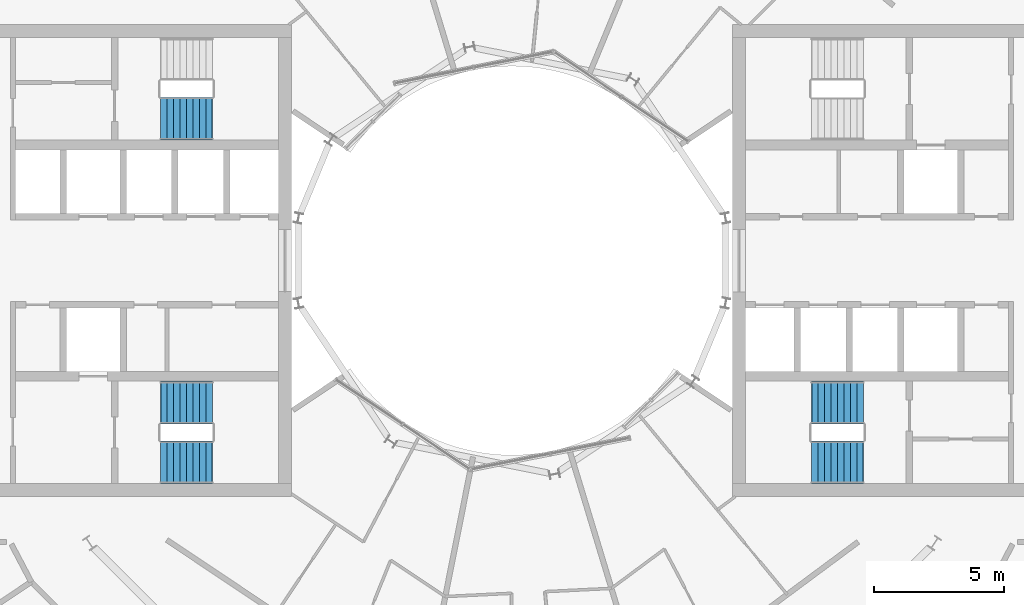
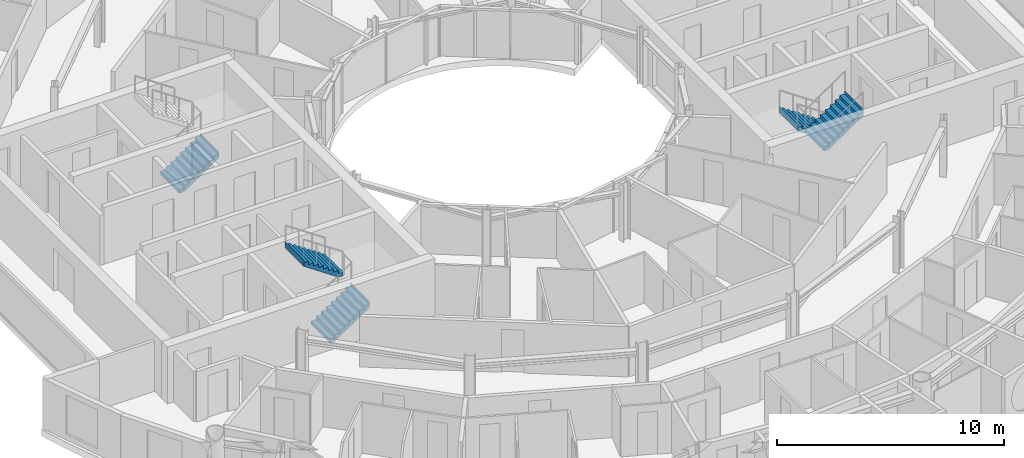
# One storey, part 24 of 27: 5 stair flights, 3 elements without a shape of their own.
"""IFC4 building model written with IfcOpenShell, lengths in metres."""

from ifc_helpers import new_model, si_unit, direction, frame, origin, place, context, subcontext, project, spatial, triangles, material, type_object, element, aggregate, save


model = new_model("IFC4")

# Units and contexts
model_context = context("Model", 3, precision=1e-05, world=origin(), true_north=direction((0.0, 1.0)))
body_context = subcontext(model_context, "Body", "Model", "MODEL_VIEW")
ifc_project = project(units=[si_unit("LENGTHUNIT", "METRE"), si_unit("AREAUNIT", "SQUARE_METRE"), si_unit("VOLUMEUNIT", "CUBIC_METRE"), si_unit("PLANEANGLEUNIT", "RADIAN"), si_unit("MASSUNIT", "GRAM", prefix="KILO")], contexts=[model_context])

# Site, building, storey
site_placement = place(None, origin())
site = spatial("IfcSite", under=ifc_project, at=site_placement, CompositionType="ELEMENT")
building_placement = place(site_placement, origin())
building = spatial("IfcBuilding", under=site, at=building_placement, Name="Maasbend Ring Residences", CompositionType="ELEMENT")
storey_placement = place(building_placement, frame((0.0, 0.0, 170.75)))
storey = spatial("IfcBuildingStorey", under=building, at=storey_placement, Name="L49", CompositionType="ELEMENT", Elevation=170.75)

# Stair, stair flights
ifc_material_1 = material(Name="Concrete C40/50", Category="concrete")
stair_type = type_object("IfcStairType", Name="CORE STAIR 18 RISERS", PredefinedType="HALF_TURN_STAIR", material=ifc_material_1)
stair_1_placement = place(storey_placement, origin())
stair_1 = element("IfcStair", 1, at=stair_1_placement, inside=storey, type_object=stair_type, Name="L49 Exit stair ST-E2", PredefinedType="HALF_TURN_STAIR")
ifc_material_2 = material(Name="Concrete C40/50", Category="concrete")
stair_flight_type = type_object("IfcStairFlightType", Name="CORE STAIR FLIGHT 1650", PredefinedType="STRAIGHT", material=ifc_material_2)
stair_flight_1_placement = place(storey_placement, frame((13.550048828125, -5.47509765625, 0.0), z_axis=(0.0, 0.0, 1.0), x_axis=(-1.0, 0.0, 0.0)))
stair_flight_1 = element("IfcStairFlight", 2, at=stair_flight_1_placement, type_object=stair_flight_type, Name="ST-E2 flight 1", NumberOfRisers=9, NumberOfTreads=8, PredefinedType="STRAIGHT", RiserHeight=0.169444444, TreadLength=0.25, context=body_context, shape_type="Tessellation", body=[
    triangles([(0.24072265625, 0.824951171875, -0.02001953125), (2.0029296875, 0.824951171875, 1.174560546875), (2.0029296875, 0.824951171875, 1.52490234375), (1.989990234375, 0.824951171875, 1.35546875), (1.75, 0.824951171875, 1.35546875), (1.75, 0.824951171875, 1.18603515625), (1.5, 0.824951171875, 1.18603515625), (1.5, 0.824951171875, 1.0166015625), (1.25, 0.824951171875, 1.0166015625), (1.25, 0.824951171875, 0.84716796875), (1.0, 0.824951171875, 0.84716796875), (1.0, 0.824951171875, 0.677734375), (0.75, 0.824951171875, 0.677734375), (0.75, 0.824951171875, 0.50830078125), (0.5, 0.824951171875, 0.50830078125), (0.5, 0.824951171875, 0.3388671875), (0.25, 0.824951171875, 0.3388671875), (0.25, 0.824951171875, 0.16943359375), (0.0, 0.824951171875, 0.16943359375), (0.0, 0.824951171875, 0.0), (-0.0029296875, 0.824951171875, 0.0), (-0.0029296875, 0.824951171875, -0.02001953125), (0.24072265625, 0.27490234375, -0.02001953125), (2.0029296875, 0.27490234375, 1.174560546875), (2.0029296875, 0.27490234375, 1.52490234375), (1.989990234375, 0.27490234375, 1.35546875), (1.75, 0.27490234375, 1.35546875), (1.75, 0.27490234375, 1.18603515625), (1.5, 0.27490234375, 1.18603515625), (1.5, 0.27490234375, 1.0166015625), (1.25, 0.27490234375, 1.0166015625), (1.25, 0.27490234375, 0.84716796875), (1.0, 0.27490234375, 0.84716796875), (1.0, 0.27490234375, 0.677734375), (0.75, 0.27490234375, 0.677734375), (0.75, 0.27490234375, 0.50830078125), (0.5, 0.27490234375, 0.50830078125), (0.5, 0.27490234375, 0.3388671875), (0.25, 0.27490234375, 0.3388671875), (0.25, 0.27490234375, 0.16943359375), (0.0, 0.27490234375, 0.16943359375), (0.0, 0.27490234375, 0.0), (-0.0029296875, 0.27490234375, 0.0), (-0.0029296875, 0.27490234375, -0.02001953125), (0.24072265625, -0.27490234375, -0.02001953125), (2.0029296875, -0.27490234375, 1.174560546875), (2.0029296875, -0.27490234375, 1.52490234375), (1.989990234375, -0.27490234375, 1.35546875), (1.75, -0.27490234375, 1.35546875), (1.75, -0.27490234375, 1.18603515625), (1.5, -0.27490234375, 1.18603515625), (1.5, -0.27490234375, 1.0166015625), (1.25, -0.27490234375, 1.0166015625), (1.25, -0.27490234375, 0.84716796875), (1.0, -0.27490234375, 0.84716796875), (1.0, -0.27490234375, 0.677734375), (0.75, -0.27490234375, 0.677734375), (0.75, -0.27490234375, 0.50830078125), (0.5, -0.27490234375, 0.50830078125), (0.5, -0.27490234375, 0.3388671875), (0.25, -0.27490234375, 0.3388671875), (0.25, -0.27490234375, 0.16943359375), (0.0, -0.27490234375, 0.16943359375), (0.0, -0.27490234375, 0.0), (-0.0029296875, -0.27490234375, 0.0), (-0.0029296875, -0.27490234375, -0.02001953125), (0.24072265625, -0.824951171875, -0.02001953125), (2.0029296875, -0.824951171875, 1.174560546875), (2.0029296875, -0.824951171875, 1.52490234375), (1.989990234375, -0.824951171875, 1.35546875), (1.75, -0.824951171875, 1.35546875), (1.75, -0.824951171875, 1.18603515625), (1.5, -0.824951171875, 1.18603515625), (1.5, -0.824951171875, 1.0166015625), (1.25, -0.824951171875, 1.0166015625), (1.25, -0.824951171875, 0.84716796875), (1.0, -0.824951171875, 0.84716796875), (1.0, -0.824951171875, 0.677734375), (0.75, -0.824951171875, 0.677734375), (0.75, -0.824951171875, 0.50830078125), (0.5, -0.824951171875, 0.50830078125), (0.5, -0.824951171875, 0.3388671875), (0.25, -0.824951171875, 0.3388671875), (0.25, -0.824951171875, 0.16943359375), (0.0, -0.824951171875, 0.16943359375), (0.0, -0.824951171875, 0.0), (-0.0029296875, -0.824951171875, 0.0), (-0.0029296875, -0.824951171875, -0.02001953125)], [[1, 2, 24], [1, 24, 23], [23, 24, 46], [23, 46, 45], [45, 46, 68], [45, 68, 67], [2, 3, 25], [2, 25, 24], [24, 25, 47], [24, 47, 46], [46, 47, 69], [46, 69, 68], [3, 4, 26], [3, 26, 25], [25, 26, 48], [25, 48, 47], [47, 48, 70], [47, 70, 69], [4, 5, 27], [4, 27, 26], [26, 27, 49], [26, 49, 48], [48, 49, 71], [48, 71, 70], [5, 6, 28], [5, 28, 27], [27, 28, 50], [27, 50, 49], [49, 50, 72], [49, 72, 71], [6, 7, 29], [6, 29, 28], [28, 29, 51], [28, 51, 50], [50, 51, 73], [50, 73, 72], [7, 8, 30], [7, 30, 29], [29, 30, 52], [29, 52, 51], [51, 52, 74], [51, 74, 73], [8, 9, 31], [8, 31, 30], [30, 31, 53], [30, 53, 52], [52, 53, 75], [52, 75, 74], [9, 10, 32], [9, 32, 31], [31, 32, 54], [31, 54, 53], [53, 54, 76], [53, 76, 75], [10, 11, 33], [10, 33, 32], [32, 33, 55], [32, 55, 54], [54, 55, 77], [54, 77, 76], [11, 12, 34], [11, 34, 33], [33, 34, 56], [33, 56, 55], [55, 56, 78], [55, 78, 77], [12, 13, 35], [12, 35, 34], [34, 35, 57], [34, 57, 56], [56, 57, 79], [56, 79, 78], [13, 14, 36], [13, 36, 35], [35, 36, 58], [35, 58, 57], [57, 58, 80], [57, 80, 79], [14, 15, 37], [14, 37, 36], [36, 37, 59], [36, 59, 58], [58, 59, 81], [58, 81, 80], [15, 16, 38], [15, 38, 37], [37, 38, 60], [37, 60, 59], [59, 60, 82], [59, 82, 81], [16, 17, 39], [16, 39, 38], [38, 39, 61], [38, 61, 60], [60, 61, 83], [60, 83, 82], [17, 18, 40], [17, 40, 39], [39, 40, 62], [39, 62, 61], [61, 62, 84], [61, 84, 83], [18, 19, 41], [18, 41, 40], [40, 41, 63], [40, 63, 62], [62, 63, 85], [62, 85, 84], [19, 20, 42], [19, 42, 41], [41, 42, 64], [41, 64, 63], [63, 64, 86], [63, 86, 85], [20, 21, 43], [20, 43, 42], [42, 43, 65], [42, 65, 64], [64, 65, 87], [64, 87, 86], [21, 22, 44], [21, 44, 43], [43, 44, 66], [43, 66, 65], [65, 66, 88], [65, 88, 87], [22, 1, 23], [22, 23, 44], [44, 23, 45], [44, 45, 66], [66, 45, 67], [66, 67, 88], [22, 2, 1], [2, 4, 3], [2, 5, 4], [2, 6, 5], [22, 6, 2], [6, 8, 7], [22, 8, 6], [8, 10, 9], [22, 10, 8], [10, 12, 11], [22, 12, 10], [12, 14, 13], [22, 14, 12], [14, 16, 15], [22, 16, 14], [16, 18, 17], [22, 18, 16], [18, 20, 19], [22, 20, 18], [20, 22, 21], [88, 67, 68], [68, 69, 70], [68, 70, 71], [68, 71, 72], [88, 68, 72], [72, 73, 74], [88, 72, 74], [74, 75, 76], [88, 74, 76], [76, 77, 78], [88, 76, 78], [78, 79, 80], [88, 78, 80], [80, 81, 82], [88, 80, 82], [82, 83, 84], [88, 82, 84], [84, 85, 86], [88, 84, 86], [86, 87, 88]], closed=True),
])
stair_flight_2_placement = place(storey_placement, frame((11.550048828125, -7.77490234375, 1.52490234375), z_axis=(0.0, 0.0, 1.0), x_axis=(1.0, 0.0, 0.0)))
stair_flight_2 = element("IfcStairFlight", 3, at=stair_flight_2_placement, type_object=stair_flight_type, Name="ST-E2 flight 2", NumberOfRisers=9, NumberOfTreads=8, PredefinedType="STRAIGHT", RiserHeight=0.169444444, TreadLength=0.25, context=body_context, shape_type="Tessellation", body=[
    triangles([(0.24072265625, 0.824951171875, -0.02001953125), (2.0029296875, 0.824951171875, 1.174560546875), (2.0029296875, 0.824951171875, 1.52490234375), (1.989990234375, 0.824951171875, 1.35546875), (1.75, 0.824951171875, 1.35546875), (1.75, 0.824951171875, 1.18603515625), (1.5, 0.824951171875, 1.18603515625), (1.5, 0.824951171875, 1.0166015625), (1.25, 0.824951171875, 1.0166015625), (1.25, 0.824951171875, 0.84716796875), (1.0, 0.824951171875, 0.84716796875), (1.0, 0.824951171875, 0.677734375), (0.75, 0.824951171875, 0.677734375), (0.75, 0.824951171875, 0.50830078125), (0.5, 0.824951171875, 0.50830078125), (0.5, 0.824951171875, 0.3388671875), (0.25, 0.824951171875, 0.3388671875), (0.25, 0.824951171875, 0.16943359375), (0.0, 0.824951171875, 0.16943359375), (0.0, 0.824951171875, 0.0), (-0.0029296875, 0.824951171875, 0.0), (-0.0029296875, 0.824951171875, -0.02001953125), (0.24072265625, 0.27490234375, -0.02001953125), (2.0029296875, 0.27490234375, 1.174560546875), (2.0029296875, 0.27490234375, 1.52490234375), (1.989990234375, 0.27490234375, 1.35546875), (1.75, 0.27490234375, 1.35546875), (1.75, 0.27490234375, 1.18603515625), (1.5, 0.27490234375, 1.18603515625), (1.5, 0.27490234375, 1.0166015625), (1.25, 0.27490234375, 1.0166015625), (1.25, 0.27490234375, 0.84716796875), (1.0, 0.27490234375, 0.84716796875), (1.0, 0.27490234375, 0.677734375), (0.75, 0.27490234375, 0.677734375), (0.75, 0.27490234375, 0.50830078125), (0.5, 0.27490234375, 0.50830078125), (0.5, 0.27490234375, 0.3388671875), (0.25, 0.27490234375, 0.3388671875), (0.25, 0.27490234375, 0.16943359375), (0.0, 0.27490234375, 0.16943359375), (0.0, 0.27490234375, 0.0), (-0.0029296875, 0.27490234375, 0.0), (-0.0029296875, 0.27490234375, -0.02001953125), (0.24072265625, -0.27490234375, -0.02001953125), (2.0029296875, -0.27490234375, 1.174560546875), (2.0029296875, -0.27490234375, 1.52490234375), (1.989990234375, -0.27490234375, 1.35546875), (1.75, -0.27490234375, 1.35546875), (1.75, -0.27490234375, 1.18603515625), (1.5, -0.27490234375, 1.18603515625), (1.5, -0.27490234375, 1.0166015625), (1.25, -0.27490234375, 1.0166015625), (1.25, -0.27490234375, 0.84716796875), (1.0, -0.27490234375, 0.84716796875), (1.0, -0.27490234375, 0.677734375), (0.75, -0.27490234375, 0.677734375), (0.75, -0.27490234375, 0.50830078125), (0.5, -0.27490234375, 0.50830078125), (0.5, -0.27490234375, 0.3388671875), (0.25, -0.27490234375, 0.3388671875), (0.25, -0.27490234375, 0.16943359375), (0.0, -0.27490234375, 0.16943359375), (0.0, -0.27490234375, 0.0), (-0.0029296875, -0.27490234375, 0.0), (-0.0029296875, -0.27490234375, -0.02001953125), (0.24072265625, -0.824951171875, -0.02001953125), (2.0029296875, -0.824951171875, 1.174560546875), (2.0029296875, -0.824951171875, 1.52490234375), (1.989990234375, -0.824951171875, 1.35546875), (1.75, -0.824951171875, 1.35546875), (1.75, -0.824951171875, 1.18603515625), (1.5, -0.824951171875, 1.18603515625), (1.5, -0.824951171875, 1.0166015625), (1.25, -0.824951171875, 1.0166015625), (1.25, -0.824951171875, 0.84716796875), (1.0, -0.824951171875, 0.84716796875), (1.0, -0.824951171875, 0.677734375), (0.75, -0.824951171875, 0.677734375), (0.75, -0.824951171875, 0.50830078125), (0.5, -0.824951171875, 0.50830078125), (0.5, -0.824951171875, 0.3388671875), (0.25, -0.824951171875, 0.3388671875), (0.25, -0.824951171875, 0.16943359375), (0.0, -0.824951171875, 0.16943359375), (0.0, -0.824951171875, 0.0), (-0.0029296875, -0.824951171875, 0.0), (-0.0029296875, -0.824951171875, -0.02001953125)], [[1, 2, 24], [1, 24, 23], [23, 24, 46], [23, 46, 45], [45, 46, 68], [45, 68, 67], [2, 3, 25], [2, 25, 24], [24, 25, 47], [24, 47, 46], [46, 47, 69], [46, 69, 68], [3, 4, 26], [3, 26, 25], [25, 26, 48], [25, 48, 47], [47, 48, 70], [47, 70, 69], [4, 5, 27], [4, 27, 26], [26, 27, 49], [26, 49, 48], [48, 49, 71], [48, 71, 70], [5, 6, 28], [5, 28, 27], [27, 28, 50], [27, 50, 49], [49, 50, 72], [49, 72, 71], [6, 7, 29], [6, 29, 28], [28, 29, 51], [28, 51, 50], [50, 51, 73], [50, 73, 72], [7, 8, 30], [7, 30, 29], [29, 30, 52], [29, 52, 51], [51, 52, 74], [51, 74, 73], [8, 9, 31], [8, 31, 30], [30, 31, 53], [30, 53, 52], [52, 53, 75], [52, 75, 74], [9, 10, 32], [9, 32, 31], [31, 32, 54], [31, 54, 53], [53, 54, 76], [53, 76, 75], [10, 11, 33], [10, 33, 32], [32, 33, 55], [32, 55, 54], [54, 55, 77], [54, 77, 76], [11, 12, 34], [11, 34, 33], [33, 34, 56], [33, 56, 55], [55, 56, 78], [55, 78, 77], [12, 13, 35], [12, 35, 34], [34, 35, 57], [34, 57, 56], [56, 57, 79], [56, 79, 78], [13, 14, 36], [13, 36, 35], [35, 36, 58], [35, 58, 57], [57, 58, 80], [57, 80, 79], [14, 15, 37], [14, 37, 36], [36, 37, 59], [36, 59, 58], [58, 59, 81], [58, 81, 80], [15, 16, 38], [15, 38, 37], [37, 38, 60], [37, 60, 59], [59, 60, 82], [59, 82, 81], [16, 17, 39], [16, 39, 38], [38, 39, 61], [38, 61, 60], [60, 61, 83], [60, 83, 82], [17, 18, 40], [17, 40, 39], [39, 40, 62], [39, 62, 61], [61, 62, 84], [61, 84, 83], [18, 19, 41], [18, 41, 40], [40, 41, 63], [40, 63, 62], [62, 63, 85], [62, 85, 84], [19, 20, 42], [19, 42, 41], [41, 42, 64], [41, 64, 63], [63, 64, 86], [63, 86, 85], [20, 21, 43], [20, 43, 42], [42, 43, 65], [42, 65, 64], [64, 65, 87], [64, 87, 86], [21, 22, 44], [21, 44, 43], [43, 44, 66], [43, 66, 65], [65, 66, 88], [65, 88, 87], [22, 1, 23], [22, 23, 44], [44, 23, 45], [44, 45, 66], [66, 45, 67], [66, 67, 88], [22, 2, 1], [2, 4, 3], [2, 5, 4], [2, 6, 5], [22, 6, 2], [6, 8, 7], [22, 8, 6], [8, 10, 9], [22, 10, 8], [10, 12, 11], [22, 12, 10], [12, 14, 13], [22, 14, 12], [14, 16, 15], [22, 16, 14], [16, 18, 17], [22, 18, 16], [18, 20, 19], [22, 20, 18], [20, 22, 21], [88, 67, 68], [68, 69, 70], [68, 70, 71], [68, 71, 72], [88, 68, 72], [72, 73, 74], [88, 72, 74], [74, 75, 76], [88, 74, 76], [76, 77, 78], [88, 76, 78], [78, 79, 80], [88, 78, 80], [80, 81, 82], [88, 80, 82], [82, 83, 84], [88, 82, 84], [84, 85, 86], [88, 84, 86], [86, 87, 88]], closed=True),
])
aggregate(stair_1, [stair_flight_1, stair_flight_2])

stair_2_placement = place(storey_placement, origin())
stair_2 = element("IfcStair", 4, at=stair_2_placement, inside=storey, type_object=stair_type, Name="L49 Exit stair ST-W1", PredefinedType="HALF_TURN_STAIR")
stair_flight_3_placement = place(storey_placement, frame((-13.550048828125, -7.77490234375, 0.0), z_axis=(0.0, 0.0, 1.0), x_axis=(1.0, 0.0, 0.0)))
stair_flight_3 = element("IfcStairFlight", 5, at=stair_flight_3_placement, type_object=stair_flight_type, Name="ST-W1 flight 1", NumberOfRisers=9, NumberOfTreads=8, PredefinedType="STRAIGHT", RiserHeight=0.169444444, TreadLength=0.25, context=body_context, shape_type="Tessellation", body=[
    triangles([(0.24072265625, 0.824951171875, -0.02001953125), (2.0029296875, 0.824951171875, 1.174560546875), (2.0029296875, 0.824951171875, 1.52490234375), (1.989990234375, 0.824951171875, 1.35546875), (1.75, 0.824951171875, 1.35546875), (1.75, 0.824951171875, 1.18603515625), (1.5, 0.824951171875, 1.18603515625), (1.5, 0.824951171875, 1.0166015625), (1.25, 0.824951171875, 1.0166015625), (1.25, 0.824951171875, 0.84716796875), (1.0, 0.824951171875, 0.84716796875), (1.0, 0.824951171875, 0.677734375), (0.75, 0.824951171875, 0.677734375), (0.75, 0.824951171875, 0.50830078125), (0.5, 0.824951171875, 0.50830078125), (0.5, 0.824951171875, 0.3388671875), (0.25, 0.824951171875, 0.3388671875), (0.25, 0.824951171875, 0.16943359375), (0.0, 0.824951171875, 0.16943359375), (0.0, 0.824951171875, 0.0), (-0.0029296875, 0.824951171875, 0.0), (-0.0029296875, 0.824951171875, -0.02001953125), (0.24072265625, 0.27490234375, -0.02001953125), (2.0029296875, 0.27490234375, 1.174560546875), (2.0029296875, 0.27490234375, 1.52490234375), (1.989990234375, 0.27490234375, 1.35546875), (1.75, 0.27490234375, 1.35546875), (1.75, 0.27490234375, 1.18603515625), (1.5, 0.27490234375, 1.18603515625), (1.5, 0.27490234375, 1.0166015625), (1.25, 0.27490234375, 1.0166015625), (1.25, 0.27490234375, 0.84716796875), (1.0, 0.27490234375, 0.84716796875), (1.0, 0.27490234375, 0.677734375), (0.75, 0.27490234375, 0.677734375), (0.75, 0.27490234375, 0.50830078125), (0.5, 0.27490234375, 0.50830078125), (0.5, 0.27490234375, 0.3388671875), (0.25, 0.27490234375, 0.3388671875), (0.25, 0.27490234375, 0.16943359375), (0.0, 0.27490234375, 0.16943359375), (0.0, 0.27490234375, 0.0), (-0.0029296875, 0.27490234375, 0.0), (-0.0029296875, 0.27490234375, -0.02001953125), (0.24072265625, -0.27490234375, -0.02001953125), (2.0029296875, -0.27490234375, 1.174560546875), (2.0029296875, -0.27490234375, 1.52490234375), (1.989990234375, -0.27490234375, 1.35546875), (1.75, -0.27490234375, 1.35546875), (1.75, -0.27490234375, 1.18603515625), (1.5, -0.27490234375, 1.18603515625), (1.5, -0.27490234375, 1.0166015625), (1.25, -0.27490234375, 1.0166015625), (1.25, -0.27490234375, 0.84716796875), (1.0, -0.27490234375, 0.84716796875), (1.0, -0.27490234375, 0.677734375), (0.75, -0.27490234375, 0.677734375), (0.75, -0.27490234375, 0.50830078125), (0.5, -0.27490234375, 0.50830078125), (0.5, -0.27490234375, 0.3388671875), (0.25, -0.27490234375, 0.3388671875), (0.25, -0.27490234375, 0.16943359375), (0.0, -0.27490234375, 0.16943359375), (0.0, -0.27490234375, 0.0), (-0.0029296875, -0.27490234375, 0.0), (-0.0029296875, -0.27490234375, -0.02001953125), (0.24072265625, -0.824951171875, -0.02001953125), (2.0029296875, -0.824951171875, 1.174560546875), (2.0029296875, -0.824951171875, 1.52490234375), (1.989990234375, -0.824951171875, 1.35546875), (1.75, -0.824951171875, 1.35546875), (1.75, -0.824951171875, 1.18603515625), (1.5, -0.824951171875, 1.18603515625), (1.5, -0.824951171875, 1.0166015625), (1.25, -0.824951171875, 1.0166015625), (1.25, -0.824951171875, 0.84716796875), (1.0, -0.824951171875, 0.84716796875), (1.0, -0.824951171875, 0.677734375), (0.75, -0.824951171875, 0.677734375), (0.75, -0.824951171875, 0.50830078125), (0.5, -0.824951171875, 0.50830078125), (0.5, -0.824951171875, 0.3388671875), (0.25, -0.824951171875, 0.3388671875), (0.25, -0.824951171875, 0.16943359375), (0.0, -0.824951171875, 0.16943359375), (0.0, -0.824951171875, 0.0), (-0.0029296875, -0.824951171875, 0.0), (-0.0029296875, -0.824951171875, -0.02001953125)], [[1, 2, 24], [1, 24, 23], [23, 24, 46], [23, 46, 45], [45, 46, 68], [45, 68, 67], [2, 3, 25], [2, 25, 24], [24, 25, 47], [24, 47, 46], [46, 47, 69], [46, 69, 68], [3, 4, 26], [3, 26, 25], [25, 26, 48], [25, 48, 47], [47, 48, 70], [47, 70, 69], [4, 5, 27], [4, 27, 26], [26, 27, 49], [26, 49, 48], [48, 49, 71], [48, 71, 70], [5, 6, 28], [5, 28, 27], [27, 28, 50], [27, 50, 49], [49, 50, 72], [49, 72, 71], [6, 7, 29], [6, 29, 28], [28, 29, 51], [28, 51, 50], [50, 51, 73], [50, 73, 72], [7, 8, 30], [7, 30, 29], [29, 30, 52], [29, 52, 51], [51, 52, 74], [51, 74, 73], [8, 9, 31], [8, 31, 30], [30, 31, 53], [30, 53, 52], [52, 53, 75], [52, 75, 74], [9, 10, 32], [9, 32, 31], [31, 32, 54], [31, 54, 53], [53, 54, 76], [53, 76, 75], [10, 11, 33], [10, 33, 32], [32, 33, 55], [32, 55, 54], [54, 55, 77], [54, 77, 76], [11, 12, 34], [11, 34, 33], [33, 34, 56], [33, 56, 55], [55, 56, 78], [55, 78, 77], [12, 13, 35], [12, 35, 34], [34, 35, 57], [34, 57, 56], [56, 57, 79], [56, 79, 78], [13, 14, 36], [13, 36, 35], [35, 36, 58], [35, 58, 57], [57, 58, 80], [57, 80, 79], [14, 15, 37], [14, 37, 36], [36, 37, 59], [36, 59, 58], [58, 59, 81], [58, 81, 80], [15, 16, 38], [15, 38, 37], [37, 38, 60], [37, 60, 59], [59, 60, 82], [59, 82, 81], [16, 17, 39], [16, 39, 38], [38, 39, 61], [38, 61, 60], [60, 61, 83], [60, 83, 82], [17, 18, 40], [17, 40, 39], [39, 40, 62], [39, 62, 61], [61, 62, 84], [61, 84, 83], [18, 19, 41], [18, 41, 40], [40, 41, 63], [40, 63, 62], [62, 63, 85], [62, 85, 84], [19, 20, 42], [19, 42, 41], [41, 42, 64], [41, 64, 63], [63, 64, 86], [63, 86, 85], [20, 21, 43], [20, 43, 42], [42, 43, 65], [42, 65, 64], [64, 65, 87], [64, 87, 86], [21, 22, 44], [21, 44, 43], [43, 44, 66], [43, 66, 65], [65, 66, 88], [65, 88, 87], [22, 1, 23], [22, 23, 44], [44, 23, 45], [44, 45, 66], [66, 45, 67], [66, 67, 88], [22, 2, 1], [2, 4, 3], [2, 5, 4], [2, 6, 5], [22, 6, 2], [6, 8, 7], [22, 8, 6], [8, 10, 9], [22, 10, 8], [10, 12, 11], [22, 12, 10], [12, 14, 13], [22, 14, 12], [14, 16, 15], [22, 16, 14], [16, 18, 17], [22, 18, 16], [18, 20, 19], [22, 20, 18], [20, 22, 21], [88, 67, 68], [68, 69, 70], [68, 70, 71], [68, 71, 72], [88, 68, 72], [72, 73, 74], [88, 72, 74], [74, 75, 76], [88, 74, 76], [76, 77, 78], [88, 76, 78], [78, 79, 80], [88, 78, 80], [80, 81, 82], [88, 80, 82], [82, 83, 84], [88, 82, 84], [84, 85, 86], [88, 84, 86], [86, 87, 88]], closed=True),
])
stair_flight_4_placement = place(storey_placement, frame((-11.550048828125, -5.47509765625, 1.52490234375), z_axis=(0.0, 0.0, 1.0), x_axis=(-1.0, 0.0, 0.0)))
stair_flight_4 = element("IfcStairFlight", 6, at=stair_flight_4_placement, type_object=stair_flight_type, Name="ST-W1 flight 2", NumberOfRisers=9, NumberOfTreads=8, PredefinedType="STRAIGHT", RiserHeight=0.169444444, TreadLength=0.25, context=body_context, shape_type="Tessellation", body=[
    triangles([(0.24072265625, 0.824951171875, -0.02001953125), (2.0029296875, 0.824951171875, 1.174560546875), (2.0029296875, 0.824951171875, 1.52490234375), (1.989990234375, 0.824951171875, 1.35546875), (1.75, 0.824951171875, 1.35546875), (1.75, 0.824951171875, 1.18603515625), (1.5, 0.824951171875, 1.18603515625), (1.5, 0.824951171875, 1.0166015625), (1.25, 0.824951171875, 1.0166015625), (1.25, 0.824951171875, 0.84716796875), (1.0, 0.824951171875, 0.84716796875), (1.0, 0.824951171875, 0.677734375), (0.75, 0.824951171875, 0.677734375), (0.75, 0.824951171875, 0.50830078125), (0.5, 0.824951171875, 0.50830078125), (0.5, 0.824951171875, 0.3388671875), (0.25, 0.824951171875, 0.3388671875), (0.25, 0.824951171875, 0.16943359375), (0.0, 0.824951171875, 0.16943359375), (0.0, 0.824951171875, 0.0), (-0.0029296875, 0.824951171875, 0.0), (-0.0029296875, 0.824951171875, -0.02001953125), (0.24072265625, 0.27490234375, -0.02001953125), (2.0029296875, 0.27490234375, 1.174560546875), (2.0029296875, 0.27490234375, 1.52490234375), (1.989990234375, 0.27490234375, 1.35546875), (1.75, 0.27490234375, 1.35546875), (1.75, 0.27490234375, 1.18603515625), (1.5, 0.27490234375, 1.18603515625), (1.5, 0.27490234375, 1.0166015625), (1.25, 0.27490234375, 1.0166015625), (1.25, 0.27490234375, 0.84716796875), (1.0, 0.27490234375, 0.84716796875), (1.0, 0.27490234375, 0.677734375), (0.75, 0.27490234375, 0.677734375), (0.75, 0.27490234375, 0.50830078125), (0.5, 0.27490234375, 0.50830078125), (0.5, 0.27490234375, 0.3388671875), (0.25, 0.27490234375, 0.3388671875), (0.25, 0.27490234375, 0.16943359375), (0.0, 0.27490234375, 0.16943359375), (0.0, 0.27490234375, 0.0), (-0.0029296875, 0.27490234375, 0.0), (-0.0029296875, 0.27490234375, -0.02001953125), (0.24072265625, -0.27490234375, -0.02001953125), (2.0029296875, -0.27490234375, 1.174560546875), (2.0029296875, -0.27490234375, 1.52490234375), (1.989990234375, -0.27490234375, 1.35546875), (1.75, -0.27490234375, 1.35546875), (1.75, -0.27490234375, 1.18603515625), (1.5, -0.27490234375, 1.18603515625), (1.5, -0.27490234375, 1.0166015625), (1.25, -0.27490234375, 1.0166015625), (1.25, -0.27490234375, 0.84716796875), (1.0, -0.27490234375, 0.84716796875), (1.0, -0.27490234375, 0.677734375), (0.75, -0.27490234375, 0.677734375), (0.75, -0.27490234375, 0.50830078125), (0.5, -0.27490234375, 0.50830078125), (0.5, -0.27490234375, 0.3388671875), (0.25, -0.27490234375, 0.3388671875), (0.25, -0.27490234375, 0.16943359375), (0.0, -0.27490234375, 0.16943359375), (0.0, -0.27490234375, 0.0), (-0.0029296875, -0.27490234375, 0.0), (-0.0029296875, -0.27490234375, -0.02001953125), (0.24072265625, -0.824951171875, -0.02001953125), (2.0029296875, -0.824951171875, 1.174560546875), (2.0029296875, -0.824951171875, 1.52490234375), (1.989990234375, -0.824951171875, 1.35546875), (1.75, -0.824951171875, 1.35546875), (1.75, -0.824951171875, 1.18603515625), (1.5, -0.824951171875, 1.18603515625), (1.5, -0.824951171875, 1.0166015625), (1.25, -0.824951171875, 1.0166015625), (1.25, -0.824951171875, 0.84716796875), (1.0, -0.824951171875, 0.84716796875), (1.0, -0.824951171875, 0.677734375), (0.75, -0.824951171875, 0.677734375), (0.75, -0.824951171875, 0.50830078125), (0.5, -0.824951171875, 0.50830078125), (0.5, -0.824951171875, 0.3388671875), (0.25, -0.824951171875, 0.3388671875), (0.25, -0.824951171875, 0.16943359375), (0.0, -0.824951171875, 0.16943359375), (0.0, -0.824951171875, 0.0), (-0.0029296875, -0.824951171875, 0.0), (-0.0029296875, -0.824951171875, -0.02001953125)], [[1, 2, 24], [1, 24, 23], [23, 24, 46], [23, 46, 45], [45, 46, 68], [45, 68, 67], [2, 3, 25], [2, 25, 24], [24, 25, 47], [24, 47, 46], [46, 47, 69], [46, 69, 68], [3, 4, 26], [3, 26, 25], [25, 26, 48], [25, 48, 47], [47, 48, 70], [47, 70, 69], [4, 5, 27], [4, 27, 26], [26, 27, 49], [26, 49, 48], [48, 49, 71], [48, 71, 70], [5, 6, 28], [5, 28, 27], [27, 28, 50], [27, 50, 49], [49, 50, 72], [49, 72, 71], [6, 7, 29], [6, 29, 28], [28, 29, 51], [28, 51, 50], [50, 51, 73], [50, 73, 72], [7, 8, 30], [7, 30, 29], [29, 30, 52], [29, 52, 51], [51, 52, 74], [51, 74, 73], [8, 9, 31], [8, 31, 30], [30, 31, 53], [30, 53, 52], [52, 53, 75], [52, 75, 74], [9, 10, 32], [9, 32, 31], [31, 32, 54], [31, 54, 53], [53, 54, 76], [53, 76, 75], [10, 11, 33], [10, 33, 32], [32, 33, 55], [32, 55, 54], [54, 55, 77], [54, 77, 76], [11, 12, 34], [11, 34, 33], [33, 34, 56], [33, 56, 55], [55, 56, 78], [55, 78, 77], [12, 13, 35], [12, 35, 34], [34, 35, 57], [34, 57, 56], [56, 57, 79], [56, 79, 78], [13, 14, 36], [13, 36, 35], [35, 36, 58], [35, 58, 57], [57, 58, 80], [57, 80, 79], [14, 15, 37], [14, 37, 36], [36, 37, 59], [36, 59, 58], [58, 59, 81], [58, 81, 80], [15, 16, 38], [15, 38, 37], [37, 38, 60], [37, 60, 59], [59, 60, 82], [59, 82, 81], [16, 17, 39], [16, 39, 38], [38, 39, 61], [38, 61, 60], [60, 61, 83], [60, 83, 82], [17, 18, 40], [17, 40, 39], [39, 40, 62], [39, 62, 61], [61, 62, 84], [61, 84, 83], [18, 19, 41], [18, 41, 40], [40, 41, 63], [40, 63, 62], [62, 63, 85], [62, 85, 84], [19, 20, 42], [19, 42, 41], [41, 42, 64], [41, 64, 63], [63, 64, 86], [63, 86, 85], [20, 21, 43], [20, 43, 42], [42, 43, 65], [42, 65, 64], [64, 65, 87], [64, 87, 86], [21, 22, 44], [21, 44, 43], [43, 44, 66], [43, 66, 65], [65, 66, 88], [65, 88, 87], [22, 1, 23], [22, 23, 44], [44, 23, 45], [44, 45, 66], [66, 45, 67], [66, 67, 88], [22, 2, 1], [2, 4, 3], [2, 5, 4], [2, 6, 5], [22, 6, 2], [6, 8, 7], [22, 8, 6], [8, 10, 9], [22, 10, 8], [10, 12, 11], [22, 12, 10], [12, 14, 13], [22, 14, 12], [14, 16, 15], [22, 16, 14], [16, 18, 17], [22, 18, 16], [18, 20, 19], [22, 20, 18], [20, 22, 21], [88, 67, 68], [68, 69, 70], [68, 70, 71], [68, 71, 72], [88, 68, 72], [72, 73, 74], [88, 72, 74], [74, 75, 76], [88, 74, 76], [76, 77, 78], [88, 76, 78], [78, 79, 80], [88, 78, 80], [80, 81, 82], [88, 80, 82], [82, 83, 84], [88, 82, 84], [84, 85, 86], [88, 84, 86], [86, 87, 88]], closed=True),
])
aggregate(stair_2, [stair_flight_3, stair_flight_4])

# Stair, stair flight
stair_3_placement = place(storey_placement, origin())
stair_3 = element("IfcStair", 7, at=stair_3_placement, inside=storey, type_object=stair_type, Name="L49 Exit stair ST-W2", PredefinedType="HALF_TURN_STAIR")
stair_flight_5_placement = place(storey_placement, frame((-13.550048828125, 5.47509765625, 0.0), z_axis=(0.0, 0.0, 1.0), x_axis=(1.0, 0.0, 0.0)))
stair_flight_5 = element("IfcStairFlight", 8, at=stair_flight_5_placement, type_object=stair_flight_type, Name="ST-W2 flight 1", NumberOfRisers=9, NumberOfTreads=8, PredefinedType="STRAIGHT", RiserHeight=0.169444444, TreadLength=0.25, context=body_context, shape_type="Tessellation", body=[
    triangles([(0.24072265625, 0.824951171875, -0.02001953125), (2.0029296875, 0.824951171875, 1.174560546875), (2.0029296875, 0.824951171875, 1.52490234375), (1.989990234375, 0.824951171875, 1.35546875), (1.75, 0.824951171875, 1.35546875), (1.75, 0.824951171875, 1.18603515625), (1.5, 0.824951171875, 1.18603515625), (1.5, 0.824951171875, 1.0166015625), (1.25, 0.824951171875, 1.0166015625), (1.25, 0.824951171875, 0.84716796875), (1.0, 0.824951171875, 0.84716796875), (1.0, 0.824951171875, 0.677734375), (0.75, 0.824951171875, 0.677734375), (0.75, 0.824951171875, 0.50830078125), (0.5, 0.824951171875, 0.50830078125), (0.5, 0.824951171875, 0.3388671875), (0.25, 0.824951171875, 0.3388671875), (0.25, 0.824951171875, 0.16943359375), (0.0, 0.824951171875, 0.16943359375), (0.0, 0.824951171875, 0.0), (-0.0029296875, 0.824951171875, 0.0), (-0.0029296875, 0.824951171875, -0.02001953125), (0.24072265625, 0.27490234375, -0.02001953125), (2.0029296875, 0.27490234375, 1.174560546875), (2.0029296875, 0.27490234375, 1.52490234375), (1.989990234375, 0.27490234375, 1.35546875), (1.75, 0.27490234375, 1.35546875), (1.75, 0.27490234375, 1.18603515625), (1.5, 0.27490234375, 1.18603515625), (1.5, 0.27490234375, 1.0166015625), (1.25, 0.27490234375, 1.0166015625), (1.25, 0.27490234375, 0.84716796875), (1.0, 0.27490234375, 0.84716796875), (1.0, 0.27490234375, 0.677734375), (0.75, 0.27490234375, 0.677734375), (0.75, 0.27490234375, 0.50830078125), (0.5, 0.27490234375, 0.50830078125), (0.5, 0.27490234375, 0.3388671875), (0.25, 0.27490234375, 0.3388671875), (0.25, 0.27490234375, 0.16943359375), (0.0, 0.27490234375, 0.16943359375), (0.0, 0.27490234375, 0.0), (-0.0029296875, 0.27490234375, 0.0), (-0.0029296875, 0.27490234375, -0.02001953125), (0.24072265625, -0.27490234375, -0.02001953125), (2.0029296875, -0.27490234375, 1.174560546875), (2.0029296875, -0.27490234375, 1.52490234375), (1.989990234375, -0.27490234375, 1.35546875), (1.75, -0.27490234375, 1.35546875), (1.75, -0.27490234375, 1.18603515625), (1.5, -0.27490234375, 1.18603515625), (1.5, -0.27490234375, 1.0166015625), (1.25, -0.27490234375, 1.0166015625), (1.25, -0.27490234375, 0.84716796875), (1.0, -0.27490234375, 0.84716796875), (1.0, -0.27490234375, 0.677734375), (0.75, -0.27490234375, 0.677734375), (0.75, -0.27490234375, 0.50830078125), (0.5, -0.27490234375, 0.50830078125), (0.5, -0.27490234375, 0.3388671875), (0.25, -0.27490234375, 0.3388671875), (0.25, -0.27490234375, 0.16943359375), (0.0, -0.27490234375, 0.16943359375), (0.0, -0.27490234375, 0.0), (-0.0029296875, -0.27490234375, 0.0), (-0.0029296875, -0.27490234375, -0.02001953125), (0.24072265625, -0.824951171875, -0.02001953125), (2.0029296875, -0.824951171875, 1.174560546875), (2.0029296875, -0.824951171875, 1.52490234375), (1.989990234375, -0.824951171875, 1.35546875), (1.75, -0.824951171875, 1.35546875), (1.75, -0.824951171875, 1.18603515625), (1.5, -0.824951171875, 1.18603515625), (1.5, -0.824951171875, 1.0166015625), (1.25, -0.824951171875, 1.0166015625), (1.25, -0.824951171875, 0.84716796875), (1.0, -0.824951171875, 0.84716796875), (1.0, -0.824951171875, 0.677734375), (0.75, -0.824951171875, 0.677734375), (0.75, -0.824951171875, 0.50830078125), (0.5, -0.824951171875, 0.50830078125), (0.5, -0.824951171875, 0.3388671875), (0.25, -0.824951171875, 0.3388671875), (0.25, -0.824951171875, 0.16943359375), (0.0, -0.824951171875, 0.16943359375), (0.0, -0.824951171875, 0.0), (-0.0029296875, -0.824951171875, 0.0), (-0.0029296875, -0.824951171875, -0.02001953125)], [[1, 2, 24], [1, 24, 23], [23, 24, 46], [23, 46, 45], [45, 46, 68], [45, 68, 67], [2, 3, 25], [2, 25, 24], [24, 25, 47], [24, 47, 46], [46, 47, 69], [46, 69, 68], [3, 4, 26], [3, 26, 25], [25, 26, 48], [25, 48, 47], [47, 48, 70], [47, 70, 69], [4, 5, 27], [4, 27, 26], [26, 27, 49], [26, 49, 48], [48, 49, 71], [48, 71, 70], [5, 6, 28], [5, 28, 27], [27, 28, 50], [27, 50, 49], [49, 50, 72], [49, 72, 71], [6, 7, 29], [6, 29, 28], [28, 29, 51], [28, 51, 50], [50, 51, 73], [50, 73, 72], [7, 8, 30], [7, 30, 29], [29, 30, 52], [29, 52, 51], [51, 52, 74], [51, 74, 73], [8, 9, 31], [8, 31, 30], [30, 31, 53], [30, 53, 52], [52, 53, 75], [52, 75, 74], [9, 10, 32], [9, 32, 31], [31, 32, 54], [31, 54, 53], [53, 54, 76], [53, 76, 75], [10, 11, 33], [10, 33, 32], [32, 33, 55], [32, 55, 54], [54, 55, 77], [54, 77, 76], [11, 12, 34], [11, 34, 33], [33, 34, 56], [33, 56, 55], [55, 56, 78], [55, 78, 77], [12, 13, 35], [12, 35, 34], [34, 35, 57], [34, 57, 56], [56, 57, 79], [56, 79, 78], [13, 14, 36], [13, 36, 35], [35, 36, 58], [35, 58, 57], [57, 58, 80], [57, 80, 79], [14, 15, 37], [14, 37, 36], [36, 37, 59], [36, 59, 58], [58, 59, 81], [58, 81, 80], [15, 16, 38], [15, 38, 37], [37, 38, 60], [37, 60, 59], [59, 60, 82], [59, 82, 81], [16, 17, 39], [16, 39, 38], [38, 39, 61], [38, 61, 60], [60, 61, 83], [60, 83, 82], [17, 18, 40], [17, 40, 39], [39, 40, 62], [39, 62, 61], [61, 62, 84], [61, 84, 83], [18, 19, 41], [18, 41, 40], [40, 41, 63], [40, 63, 62], [62, 63, 85], [62, 85, 84], [19, 20, 42], [19, 42, 41], [41, 42, 64], [41, 64, 63], [63, 64, 86], [63, 86, 85], [20, 21, 43], [20, 43, 42], [42, 43, 65], [42, 65, 64], [64, 65, 87], [64, 87, 86], [21, 22, 44], [21, 44, 43], [43, 44, 66], [43, 66, 65], [65, 66, 88], [65, 88, 87], [22, 1, 23], [22, 23, 44], [44, 23, 45], [44, 45, 66], [66, 45, 67], [66, 67, 88], [22, 2, 1], [2, 4, 3], [2, 5, 4], [2, 6, 5], [22, 6, 2], [6, 8, 7], [22, 8, 6], [8, 10, 9], [22, 10, 8], [10, 12, 11], [22, 12, 10], [12, 14, 13], [22, 14, 12], [14, 16, 15], [22, 16, 14], [16, 18, 17], [22, 18, 16], [18, 20, 19], [22, 20, 18], [20, 22, 21], [88, 67, 68], [68, 69, 70], [68, 70, 71], [68, 71, 72], [88, 68, 72], [72, 73, 74], [88, 72, 74], [74, 75, 76], [88, 74, 76], [76, 77, 78], [88, 76, 78], [78, 79, 80], [88, 78, 80], [80, 81, 82], [88, 80, 82], [82, 83, 84], [88, 82, 84], [84, 85, 86], [88, 84, 86], [86, 87, 88]], closed=True),
])
aggregate(stair_3, [stair_flight_5])

save(model, "model.ifc")
